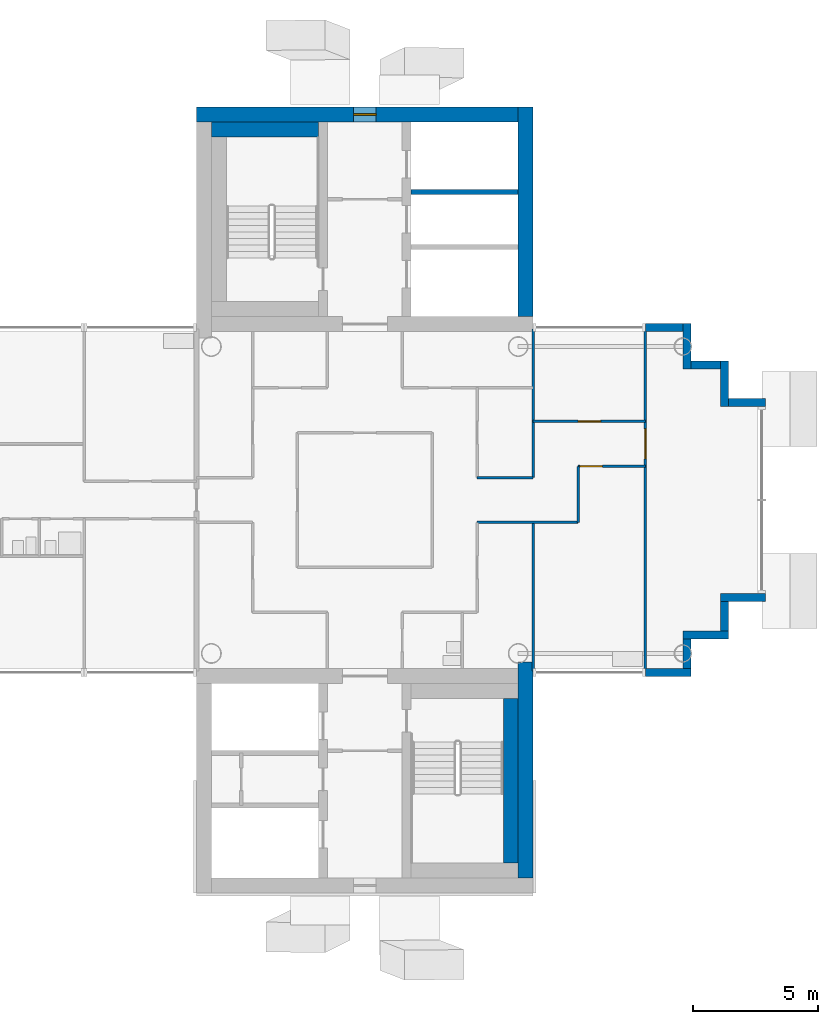
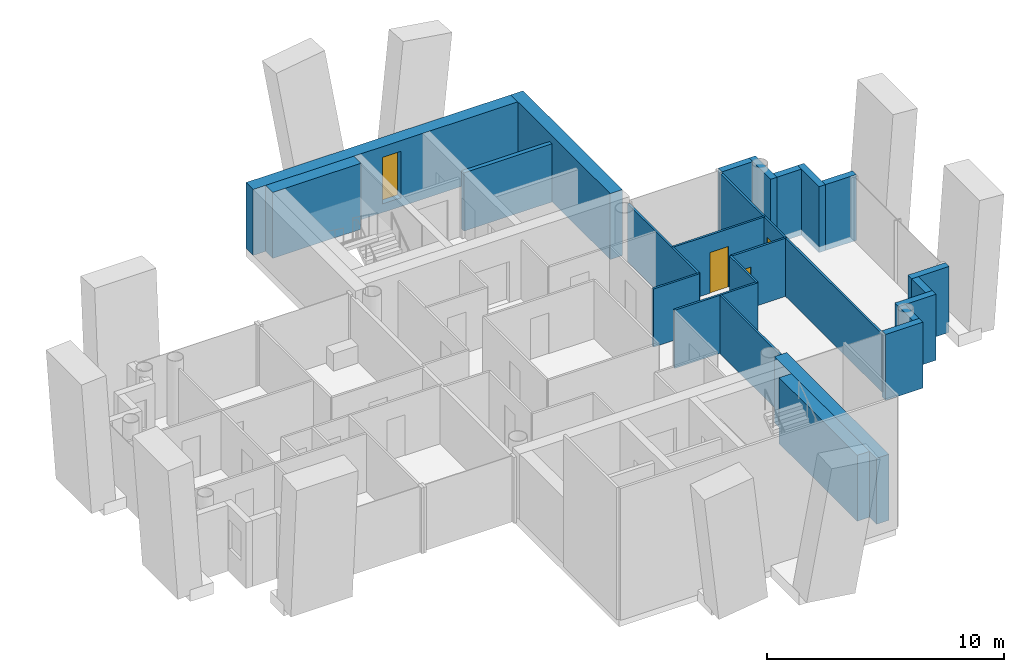
# One storey, part 11 of 18: 24 walls, 3 doors, 1 window, 4 openings.
"""IFC4 building model written with IfcOpenShell, lengths in metres."""

from ifc_helpers import new_model, si_unit, direction, frame, frame_2d, origin, place, context, subcontext, project, spatial, rectangle, extrude, material, layer, layer_set, type_object, element, fill, save


model = new_model("IFC4")

# Units and contexts
model_context = context("Model", 3, precision=1e-05, world=origin(), true_north=direction((0.0, 1.0)))
body_context = subcontext(model_context, "Body", "Model", "MODEL_VIEW")
ifc_project = project(units=[si_unit("LENGTHUNIT", "METRE"), si_unit("AREAUNIT", "SQUARE_METRE"), si_unit("VOLUMEUNIT", "CUBIC_METRE"), si_unit("PLANEANGLEUNIT", "RADIAN"), si_unit("MASSUNIT", "GRAM", prefix="KILO")], contexts=[model_context])

# Site, building, storey
site_placement = place(None, origin())
site = spatial("IfcSite", under=ifc_project, at=site_placement, CompositionType="ELEMENT")
building_placement = place(site_placement, origin())
building = spatial("IfcBuilding", under=site, at=building_placement, Name="Ipe Terrace Towers", CompositionType="ELEMENT")
storey_placement = place(building_placement, frame((0.0, 0.0, 216.39990234375)))
storey = spatial("IfcBuildingStorey", under=building, at=storey_placement, Name="L60", CompositionType="ELEMENT", Elevation=216.39990234375)

# Walls
ifc_material_1 = material(Name="Concrete C40/50 with buff precast cladding", Category="concrete")
ifc_layer_1 = layer(ifc_material_1, 0.320068359375)
ifc_layer_set_1 = layer_set([ifc_layer_1], Name="BUFF CLADDING WALL 320")
wall_type_1 = type_object("IfcWallType", Name="BUFF CLADDING WALL 320", PredefinedType="STANDARD", material=ifc_layer_set_1)
wall_1_placement = place(storey_placement, frame((47.25, -6.909912109375, -0.2998046875), z_axis=(0.0, 0.0, 1.0), x_axis=(1.0, 0.0, 0.0)))
element("IfcWall", 1, at=wall_1_placement, inside=storey, type_object=wall_type_1, Name="T2-W-L60-03a wall", PredefinedType="STANDARD", context=body_context, shape_type="SweptSolid", body=[
    extrude(rectangle(XDim=1.820068359375, YDim=0.320068359375, at=frame_2d((0.91015625, 0.0))), origin(), (0.0, 0.0, 1.0), 3.39990234375),
])
wall_2_placement = place(storey_placement, frame((48.909912109375, -6.75, -0.2998046875), z_axis=(0.0, 0.0, 1.0), x_axis=(0.0, 1.0, 0.0)))
element("IfcWall", 2, at=wall_2_placement, inside=storey, type_object=wall_type_1, Name="T2-W-L60-04a wall", PredefinedType="STANDARD", context=body_context, shape_type="SweptSolid", body=[
    extrude(rectangle(XDim=1.179931640625, YDim=0.320068359375, at=frame_2d((0.58984375, 0.0))), origin(), (0.0, 0.0, 1.0), 3.39990234375),
])
wall_3_placement = place(storey_placement, frame((48.75, -5.409912109375, -0.2998046875), z_axis=(0.0, 0.0, 1.0), x_axis=(1.0, 0.0, 0.0)))
element("IfcWall", 3, at=wall_3_placement, inside=storey, type_object=wall_type_1, Name="T2-W-L60-05a wall", PredefinedType="STANDARD", context=body_context, shape_type="SweptSolid", body=[
    extrude(rectangle(XDim=1.820068359375, YDim=0.320068359375, at=frame_2d((0.91015625, 0.0))), origin(), (0.0, 0.0, 1.0), 3.39990234375),
])
wall_4_placement = place(storey_placement, frame((50.409912109375, -5.25, -0.2998046875), z_axis=(0.0, 0.0, 1.0), x_axis=(0.0, 1.0, 0.0)))
element("IfcWall", 4, at=wall_4_placement, inside=storey, type_object=wall_type_1, Name="T2-W-L60-06a wall", PredefinedType="STANDARD", context=body_context, shape_type="SweptSolid", body=[
    extrude(rectangle(XDim=1.179931640625, YDim=0.320068359375, at=frame_2d((0.58984375, 0.0))), origin(), (0.0, 0.0, 1.0), 3.39990234375),
])
wall_5_placement = place(storey_placement, frame((50.25, -3.909912109375, -0.2998046875), z_axis=(0.0, 0.0, 1.0), x_axis=(1.0, 0.0, 0.0)))
element("IfcWall", 5, at=wall_5_placement, inside=storey, type_object=wall_type_1, Name="T2-W-L60-07a wall", PredefinedType="STANDARD", context=body_context, shape_type="SweptSolid", body=[
    extrude(rectangle(XDim=1.820068359375, YDim=0.320068359375, at=frame_2d((0.91015625, 0.0))), origin(), (0.0, 0.0, 1.0), 3.39990234375),
])
wall_6_placement = place(storey_placement, frame((52.070068359375, 3.909912109375, -0.2998046875), z_axis=(0.0, 0.0, 1.0), x_axis=(-1.0, 0.0, 0.0)))
element("IfcWall", 6, at=wall_6_placement, inside=storey, type_object=wall_type_1, Name="T2-W-L60-09a wall", PredefinedType="STANDARD", context=body_context, shape_type="SweptSolid", body=[
    extrude(rectangle(XDim=1.5, YDim=0.320068359375, at=frame_2d((0.75, 0.0))), origin(), (0.0, 0.0, 1.0), 3.39990234375),
])
wall_7_placement = place(storey_placement, frame((50.409912109375, 3.75, -0.2998046875), z_axis=(0.0, 0.0, 1.0), x_axis=(0.0, 1.0, 0.0)))
element("IfcWall", 7, at=wall_7_placement, inside=storey, type_object=wall_type_1, Name="T2-W-L60-10a wall", PredefinedType="STANDARD", context=body_context, shape_type="SweptSolid", body=[
    extrude(rectangle(XDim=1.820068359375, YDim=0.320068359375, at=frame_2d((0.91015625, 0.0))), origin(), (0.0, 0.0, 1.0), 3.39990234375),
])
wall_8_placement = place(storey_placement, frame((50.25, 5.409912109375, -0.2998046875), z_axis=(0.0, 0.0, 1.0), x_axis=(-1.0, 0.0, 0.0)))
element("IfcWall", 8, at=wall_8_placement, inside=storey, type_object=wall_type_1, Name="T2-W-L60-11a wall", PredefinedType="STANDARD", context=body_context, shape_type="SweptSolid", body=[
    extrude(rectangle(XDim=1.179931640625, YDim=0.320068359375, at=frame_2d((0.58984375, 0.0))), origin(), (0.0, 0.0, 1.0), 3.39990234375),
])
wall_9_placement = place(storey_placement, frame((48.909912109375, 5.25, -0.2998046875), z_axis=(0.0, 0.0, 1.0), x_axis=(0.0, 1.0, 0.0)))
element("IfcWall", 9, at=wall_9_placement, inside=storey, type_object=wall_type_1, Name="T2-W-L60-12a wall", PredefinedType="STANDARD", context=body_context, shape_type="SweptSolid", body=[
    extrude(rectangle(XDim=1.820068359375, YDim=0.320068359375, at=frame_2d((0.91015625, 0.0))), origin(), (0.0, 0.0, 1.0), 3.39990234375),
])
wall_10_placement = place(storey_placement, frame((48.75, 6.909912109375, -0.2998046875), z_axis=(0.0, 0.0, 1.0), x_axis=(-1.0, 0.0, 0.0)))
element("IfcWall", 10, at=wall_10_placement, inside=storey, type_object=wall_type_1, Name="T2-W-L60-13a wall", PredefinedType="STANDARD", context=body_context, shape_type="SweptSolid", body=[
    extrude(rectangle(XDim=1.5, YDim=0.320068359375, at=frame_2d((0.75, 0.0))), origin(), (0.0, 0.0, 1.0), 3.39990234375),
])
ifc_material_2 = material(Name="Gypsum board partition", Category="plasterboard")
ifc_layer_2 = layer(ifc_material_2, 0.10009765625)
ifc_layer_set_2 = layer_set([ifc_layer_2], Name="Gypsum board partition 100 mm")
wall_type_2 = type_object("IfcWallType", Name="Gypsum board partition 100 mm", PredefinedType="PARTITIONING", material=ifc_layer_set_2)
wall_11_placement = place(storey_placement, frame((44.550048828125, -0.89990234375, 0.0), z_axis=(0.0, 0.0, 1.0), x_axis=(-1.0, 0.0, 0.0)))
element("IfcWall", 11, at=wall_11_placement, inside=storey, type_object=wall_type_2, Name="Gypsum board partition T2 L60 W05", PredefinedType="PARTITIONING", context=body_context, shape_type="SweptSolid", body=[
    extrude(rectangle(XDim=4.050048828125, YDim=0.10009765625, at=frame_2d((2.02490234375, 0.0))), origin(), (0.0, 0.0, 1.0), 3.0),
])
wall_12_placement = place(storey_placement, frame((42.75, 0.89990234375, 0.0), z_axis=(0.0, 0.0, 1.0), x_axis=(-1.0, 0.0, 0.0)))
element("IfcWall", 12, at=wall_12_placement, inside=storey, type_object=wall_type_2, Name="Gypsum board partition T2 L60 W09", PredefinedType="PARTITIONING", context=body_context, shape_type="SweptSolid", body=[
    extrude(rectangle(XDim=2.25, YDim=0.10009765625, at=frame_2d((1.125, 0.0))), origin(), (0.0, 0.0, 1.0), 3.0),
])

# Wall, opening, door
wall_13_placement = place(storey_placement, frame((47.25, 1.35009765625, 0.0), z_axis=(0.0, 0.0, 1.0), x_axis=(-1.0, 0.0, 0.0)))
wall_13 = element("IfcWall", 13, at=wall_13_placement, inside=storey, type_object=wall_type_2, Name="Gypsum board partition T2 L60 W11", PredefinedType="PARTITIONING", context=body_context, shape_type="SweptSolid", body=[
    extrude(rectangle(XDim=2.699951171875, YDim=0.10009765625, at=frame_2d((1.35009765625, 0.0))), origin(), (0.0, 0.0, 1.0), 3.0),
])
opening_1_placement = place(wall_13_placement, frame((1.72998046875, 0.0, 0.0)))
opening_1 = element("IfcOpeningElement", 14, at=opening_1_placement, cuts=wall_13, Name="Opening T2-Z4F-21", PredefinedType="OPENING", context=body_context, shape_type="SweptSolid", body=[
    extrude(rectangle(XDim=0.89990234375, YDim=2.10009765625, at=frame_2d((0.449951171875, 1.050048828125))), frame((0.0, 0.06005859375, 0.0), z_axis=(0.0, -1.0, 0.0), x_axis=(1.0, 0.0, 0.0)), (0.0, 0.0, 1.0), 0.1201171875),
])
ifc_material_3 = material(Name="Timber door leaf", Category="wood")
door_type_1 = type_object("IfcDoorType", Name="Lounge door 900 x 2100", OperationType="NOTDEFINED", PredefinedType="DOOR", material=ifc_material_3)
door_1_placement = place(opening_1_placement, origin())
door_1 = element("IfcDoor", 15, at=door_1_placement, inside=storey, type_object=door_type_1, Name="Lounge door T2-Z4F-21", OperationType="SINGLE_SWING_LEFT", OverallHeight=2.10009765625, OverallWidth=0.89990234375, PredefinedType="DOOR", context=body_context, shape_type="SweptSolid", body=[
    extrude(rectangle(XDim=0.89990234375, YDim=2.10009765625, at=frame_2d((0.449951171875, 1.050048828125))), frame((0.0, 0.02490234375, 0.0), z_axis=(0.0, -1.0, 0.0), x_axis=(1.0, 0.0, 0.0)), (0.0, 0.0, 1.0), 0.050048828125),
])
fill(opening_1, door_1)

wall_14_placement = place(storey_placement, frame((47.25, 3.14990234375, 0.0), z_axis=(0.0, 0.0, 1.0), x_axis=(-1.0, 0.0, 0.0)))
wall_14 = element("IfcWall", 16, at=wall_14_placement, inside=storey, type_object=wall_type_2, Name="Gypsum board partition T2 L60 W14", PredefinedType="PARTITIONING", context=body_context, shape_type="SweptSolid", body=[
    extrude(rectangle(XDim=4.5, YDim=0.10009765625, at=frame_2d((2.25, 0.0))), origin(), (0.0, 0.0, 1.0), 3.0),
])
opening_2_placement = place(wall_14_placement, frame((1.800048828125, 0.0, 0.0)))
opening_2 = element("IfcOpeningElement", 17, at=opening_2_placement, cuts=wall_14, Name="Opening T2-Z4F-20", PredefinedType="OPENING", context=body_context, shape_type="SweptSolid", body=[
    extrude(rectangle(XDim=0.89990234375, YDim=2.10009765625, at=frame_2d((0.449951171875, 1.050048828125))), frame((0.0, 0.06005859375, 0.0), z_axis=(0.0, -1.0, 0.0), x_axis=(1.0, 0.0, 0.0)), (0.0, 0.0, 1.0), 0.1201171875),
])
door_2_placement = place(opening_2_placement, origin())
door_2 = element("IfcDoor", 18, at=door_2_placement, inside=storey, type_object=door_type_1, Name="Lounge door T2-Z4F-20", OperationType="SINGLE_SWING_RIGHT", OverallHeight=2.10009765625, OverallWidth=0.89990234375, PredefinedType="DOOR", context=body_context, shape_type="SweptSolid", body=[
    extrude(rectangle(XDim=0.89990234375, YDim=2.10009765625, at=frame_2d((0.449951171875, 1.050048828125))), frame((0.0, 0.02490234375, 0.0), z_axis=(0.0, -1.0, 0.0), x_axis=(1.0, 0.0, 0.0)), (0.0, 0.0, 1.0), 0.050048828125),
])
fill(opening_2, door_2)

wall_15_placement = place(storey_placement, frame((47.25, -6.85009765625, 0.0), z_axis=(0.0, 0.0, 1.0), x_axis=(0.0, 1.0, 0.0)))
wall_15 = element("IfcWall", 19, at=wall_15_placement, inside=storey, type_object=wall_type_2, Name="Gypsum board partition T2 L60 W17", PredefinedType="PARTITIONING", context=body_context, shape_type="SweptSolid", body=[
    extrude(rectangle(XDim=13.7001953125, YDim=0.10009765625, at=frame_2d((6.85009765625, 0.0))), origin(), (0.0, 0.0, 1.0), 3.0),
])
opening_3_placement = place(wall_15_placement, frame((8.5, 0.0, 0.0)))
opening_3 = element("IfcOpeningElement", 20, at=opening_3_placement, cuts=wall_15, Name="Opening T2-Z4F-22", PredefinedType="OPENING", context=body_context, shape_type="SweptSolid", body=[
    extrude(rectangle(XDim=1.199951171875, YDim=2.10009765625, at=frame_2d((0.60009765625, 1.050048828125))), frame((0.0, 0.06005859375, 0.0), z_axis=(0.0, -1.0, 0.0), x_axis=(1.0, 0.0, 0.0)), (0.0, 0.0, 1.0), 0.1201171875),
])
ifc_material_4 = material(Name="Timber door leaf", Category="wood")
door_type_2 = type_object("IfcDoorType", Name="Lounge door 1200 x 2100", OperationType="NOTDEFINED", PredefinedType="DOOR", material=ifc_material_4)
door_3_placement = place(opening_3_placement, origin())
door_3 = element("IfcDoor", 21, at=door_3_placement, inside=storey, type_object=door_type_2, Name="Lounge door T2-Z4F-22", OperationType="SINGLE_SWING_RIGHT", OverallHeight=2.10009765625, OverallWidth=1.199951171875, PredefinedType="DOOR", context=body_context, shape_type="SweptSolid", body=[
    extrude(rectangle(XDim=1.199951171875, YDim=2.10009765625, at=frame_2d((0.60009765625, 1.050048828125))), frame((0.0, 0.02490234375, 0.0), z_axis=(0.0, -1.0, 0.0), x_axis=(1.0, 0.0, 0.0)), (0.0, 0.0, 1.0), 0.050048828125),
])
fill(opening_3, door_3)

# Walls
wall_16_placement = place(storey_placement, frame((44.550048828125, -0.89990234375, 0.0), z_axis=(0.0, 0.0, 1.0), x_axis=(0.0, 1.0, 0.0)))
element("IfcWall", 22, at=wall_16_placement, inside=storey, type_object=wall_type_2, Name="Gypsum board partition T2 L60 W18", PredefinedType="PARTITIONING", context=body_context, shape_type="SweptSolid", body=[
    extrude(rectangle(XDim=2.25, YDim=0.10009765625, at=frame_2d((1.125, 0.0))), origin(), (0.0, 0.0, 1.0), 3.0),
])
for number, where, z_axis, x_axis, name in (
    (23, (42.75, -6.85009765625, 0.0), (0.0, 0.0, 1.0), (0.0, 1.0, 0.0), "Gypsum board partition T2 L60 W19"),
    (24, (42.75, 0.89990234375, 0.0), (0.0, 0.0, 1.0), (0.0, 1.0, 0.0), "Gypsum board partition T2 L60 W20"),
):
    element("IfcWall", number, at=place(storey_placement, frame(where, z_axis=z_axis, x_axis=x_axis)), inside=storey, type_object=wall_type_2, Name=name, PredefinedType="PARTITIONING", context=body_context, shape_type="SweptSolid", body=[
        extrude(rectangle(XDim=5.9501953125, YDim=0.10009765625, at=frame_2d((2.97509765625, 0.0))), origin(), (0.0, 0.0, 1.0), 3.0),
    ])
ifc_material_5 = material(Name="Gypsum board party wall", Category="plasterboard")
ifc_layer_3 = layer(ifc_material_5, 0.199951171875)
ifc_layer_set_3 = layer_set([ifc_layer_3], Name="Gypsum board party wall 200 mm")
wall_type_3 = type_object("IfcWallType", Name="Gypsum board party wall 200 mm", PredefinedType="SOLIDWALL", material=ifc_layer_set_3)
wall_17_placement = place(storey_placement, frame((42.14990234375, 12.35009765625, 0.0), z_axis=(0.0, 0.0, 1.0), x_axis=(-1.0, 0.0, 0.0)))
element("IfcWall", 25, at=wall_17_placement, inside=storey, type_object=wall_type_3, Name="Gypsum board party wall T2 L60 t2c1-shaft-div2", PredefinedType="SOLIDWALL", context=body_context, shape_type="SweptSolid", body=[
    extrude(rectangle(XDim=4.2998046875, YDim=0.199951171875, at=frame_2d((2.14990234375, 0.0))), origin(), (0.0, 0.0, 1.0), 3.0),
])
ifc_material_6 = material(Name="Concrete C40/50", Category="concrete")
ifc_layer_4 = layer(ifc_material_6, 0.60009765625)
ifc_layer_set_4 = layer_set([ifc_layer_4], Name="RW600 CORE INFILL WALL 600 C40-50")
wall_type_4 = type_object("IfcWallType", Name="RW600 CORE INFILL WALL 600 C40-50", PredefinedType="SHEAR", material=ifc_layer_set_4)
wall_18_placement = place(storey_placement, frame((34.14990234375, 14.85009765625, 0.0), z_axis=(0.0, 0.0, 1.0), x_axis=(-1.0, 0.0, 0.0)))
element("IfcWall", 26, at=wall_18_placement, inside=storey, type_object=wall_type_4, Name="Core infill wall T2-C1-far", PredefinedType="SHEAR", context=body_context, shape_type="SweptSolid", body=[
    extrude(rectangle(XDim=4.2998046875, YDim=0.60009765625, at=frame_2d((2.14990234375, 0.0))), origin(), (0.0, 0.0, 1.0), 3.400146484375),
])
wall_19_placement = place(storey_placement, frame((41.85009765625, -7.949951171875, 0.0), z_axis=(0.0, 0.0, 1.0), x_axis=(0.0, -1.0, 0.0)))
element("IfcWall", 27, at=wall_19_placement, inside=storey, type_object=wall_type_4, Name="Core infill wall T2-C2-back", PredefinedType="SHEAR", context=body_context, shape_type="SweptSolid", body=[
    extrude(rectangle(XDim=6.60009765625, YDim=0.60009765625, at=frame_2d((3.300048828125, 0.0))), origin(), (0.0, 0.0, 1.0), 3.400146484375),
])
ifc_material_7 = material(Name="Concrete C40/50", Category="concrete")
ifc_layer_5 = layer(ifc_material_7, 0.60009765625)
ifc_layer_set_5 = layer_set([ifc_layer_5], Name="RW600 CORE WALL 600 C40-50")
wall_type_5 = type_object("IfcWallType", Name="RW600 CORE WALL 600 C40-50", PredefinedType="SHEAR", material=ifc_layer_set_5)
wall_20_placement = place(storey_placement, frame((42.449951171875, 7.35009765625, 0.0), z_axis=(0.0, 0.0, 1.0), x_axis=(0.0, 1.0, 0.0)))
element("IfcWall", 28, at=wall_20_placement, inside=storey, type_object=wall_type_5, Name="Core wall T2-C1-Z4-W02", PredefinedType="SHEAR", context=body_context, shape_type="SweptSolid", body=[
    extrude(rectangle(XDim=8.39990234375, YDim=0.60009765625, at=frame_2d((4.199951171875, 0.0))), origin(), (0.0, 0.0, 1.0), 3.400146484375),
])

# Wall, opening, window
wall_21_placement = place(storey_placement, frame((42.14990234375, 15.449951171875, 0.0), z_axis=(0.0, 0.0, 1.0), x_axis=(-1.0, 0.0, 0.0)))
wall_21 = element("IfcWall", 29, at=wall_21_placement, inside=storey, type_object=wall_type_5, Name="Core wall T2-C1-Z4-W03", PredefinedType="SHEAR", context=body_context, shape_type="SweptSolid", body=[
    extrude(rectangle(XDim=12.89990234375, YDim=0.60009765625, at=frame_2d((6.449951171875, 0.0))), origin(), (0.0, 0.0, 1.0), 3.400146484375),
])
opening_4_placement = place(wall_21_placement, frame((5.699951171875, 0.0, 0.449951171875)))
opening_4 = element("IfcOpeningElement", 30, at=opening_4_placement, cuts=wall_21, Name="Opening T2-C1-W-01-L60", PredefinedType="OPENING", context=body_context, shape_type="SweptSolid", body=[
    extrude(rectangle(XDim=0.89990234375, YDim=2.39990234375, at=frame_2d((0.449951171875, 1.199951171875))), frame((0.0, 0.31005859375, 0.0), z_axis=(0.0, -1.0, 0.0), x_axis=(1.0, 0.0, 0.0)), (0.0, 0.0, 1.0), 0.6201171875),
])
ifc_material_8 = material(Name="Fire-resistant glazing EI 60", Category="glass")
window_type = type_object("IfcWindowType", Name="CORRIDOR END SLOT WINDOW 900 x 2400 EI 60", PartitioningType="SINGLE_PANEL", PredefinedType="WINDOW", material=ifc_material_8)
window_placement = place(opening_4_placement, origin())
window = element("IfcWindow", 31, at=window_placement, inside=storey, type_object=window_type, Name="W-01 window", OverallHeight=2.39990234375, OverallWidth=0.89990234375, PartitioningType="SINGLE_PANEL", PredefinedType="WINDOW", context=body_context, shape_type="SweptSolid", body=[
    extrude(rectangle(XDim=0.89990234375, YDim=2.39990234375, at=frame_2d((0.449951171875, 1.199951171875))), frame((0.0, 0.030029296875, 0.0), z_axis=(0.0, -1.0, 0.0), x_axis=(1.0, 0.0, 0.0)), (0.0, 0.0, 1.0), 0.06005859375),
])
fill(opening_4, window)

# Wall
wall_22_placement = place(storey_placement, frame((42.449951171875, -15.14990234375, 0.0), z_axis=(0.0, 0.0, 1.0), x_axis=(0.0, 1.0, 0.0)))
element("IfcWall", 32, at=wall_22_placement, inside=storey, type_object=wall_type_5, Name="Core wall T2-C2-Z4-W02", PredefinedType="SHEAR", context=body_context, shape_type="SweptSolid", body=[
    extrude(rectangle(XDim=8.64794921875, YDim=0.60009765625, at=frame_2d((4.323974609375, 0.0))), origin(), (0.0, 0.0, 1.0), 3.400146484375),
])

save(model, "model.ifc")
